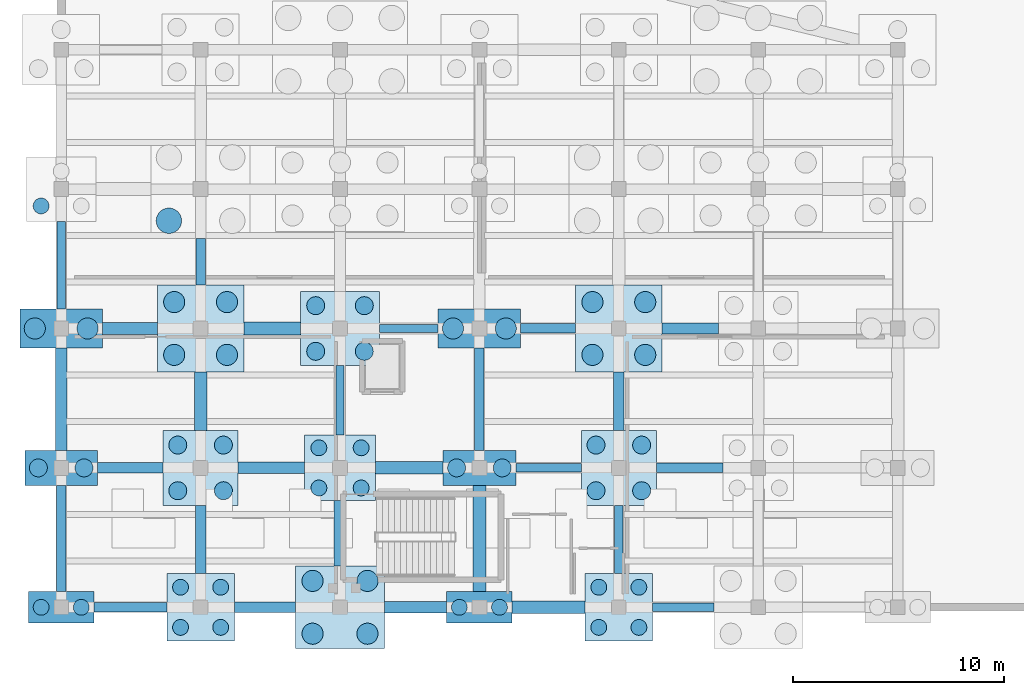
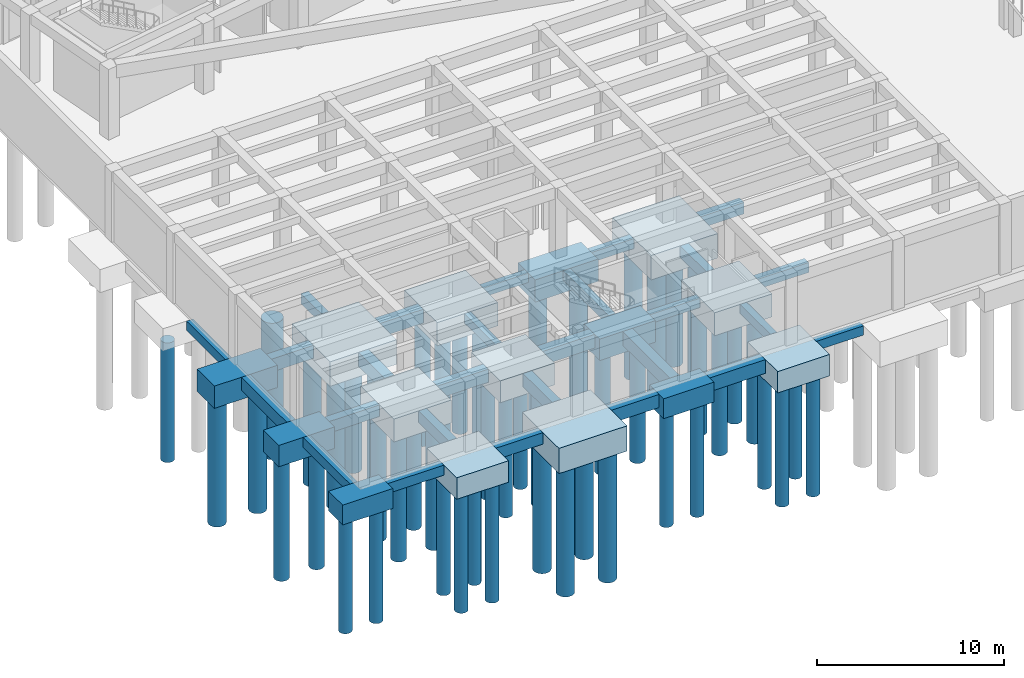
# One storey, part 1 of 34: 50 piles, 42 footings.
"""IFC4 building model written with IfcOpenShell, lengths in metres."""

from ifc_helpers import new_model, si_unit, direction, frame, origin, origin_2d, place, context, subcontext, project, spatial, rectangle, circle, extrude, material, material_profile, profile_set, type_object, element, save


model = new_model("IFC4")

# Units and contexts
model_context = context("Model", 3, precision=1e-05, world=origin(), true_north=direction((0.0, 1.0)))
body_context = subcontext(model_context, "Body", "Model", "MODEL_VIEW")
ifc_project = project(units=[si_unit("LENGTHUNIT", "METRE"), si_unit("AREAUNIT", "SQUARE_METRE"), si_unit("VOLUMEUNIT", "CUBIC_METRE"), si_unit("PLANEANGLEUNIT", "RADIAN"), si_unit("MASSUNIT", "GRAM", prefix="KILO")], contexts=[model_context])

# Site, building, storey
site_placement = place(None, origin())
site = spatial("IfcSite", under=ifc_project, at=site_placement, CompositionType="ELEMENT")
building_placement = place(site_placement, origin())
building = spatial("IfcBuilding", under=site, at=building_placement, Name="Kharisveld Research Institute", CompositionType="ELEMENT")
storey_placement = place(building_placement, frame((0.0, 0.0, -4.800048828125)))
storey = spatial("IfcBuildingStorey", under=building, at=storey_placement, Name="B1", CompositionType="ELEMENT", Elevation=-4.800048828125)

# Footings
ifc_material_1 = material(Name="Concrete C35/45", Category="concrete")
ifc_material_profile_1 = material_profile(ifc_material_1, rectangle(XDim=0.449951171875, YDim=0.64990234375, at=origin_2d()))
ifc_profile_set_1 = profile_set([ifc_material_profile_1], Name="Concrete C35/45")
footing_type_1 = type_object("IfcFootingType", Name="GB_01", PredefinedType="FOOTING_BEAM", material=ifc_profile_set_1)
footing_1_placement = place(storey_placement, frame((2.14990234375, 0.199951171875, -0.77490234375), z_axis=(1.0, 0.0, 0.0), x_axis=(0.0, 1.0, 0.0)))
element("IfcFooting", 1, at=footing_1_placement, inside=storey, type_object=footing_type_1, Name="FTG:GB:V3:U0_0", PredefinedType="FOOTING_BEAM", context=body_context, shape_type="SweptSolid", body=[
    extrude(rectangle(XDim=0.449951171875, YDim=0.64990234375, at=origin_2d()), origin(), (0.0, 0.0, 1.0), 3.4501953125),
])
footing_2_placement = place(storey_placement, frame((28.77490234375, 6.800048828125, -0.77490234375), z_axis=(1.0, 0.0, 0.0), x_axis=(0.0, 1.0, 0.0)))
element("IfcFooting", 2, at=footing_2_placement, inside=storey, type_object=footing_type_1, Name="FTG:GB:V3:U4_1", PredefinedType="FOOTING_BEAM", context=body_context, shape_type="SweptSolid", body=[
    extrude(rectangle(XDim=0.449951171875, YDim=0.64990234375, at=origin_2d()), origin(), (0.0, 0.0, 1.0), 3.150146484375),
])
footing_3_placement = place(storey_placement, frame((22.35009765625, 13.39990234375, -0.77490234375), z_axis=(1.0, 0.0, 0.0), x_axis=(0.0, 1.0, 0.0)))
element("IfcFooting", 3, at=footing_3_placement, inside=storey, type_object=footing_type_1, Name="FTG:GB:V3:U3_2", PredefinedType="FOOTING_BEAM", context=body_context, shape_type="SweptSolid", body=[
    extrude(rectangle(XDim=0.449951171875, YDim=0.64990234375, at=origin_2d()), origin(), (0.0, 0.0, 1.0), 2.599853515625),
])
footing_4_placement = place(storey_placement, frame((0.60009765625, 0.949951171875, -0.77490234375), z_axis=(0.0, 1.0, 0.0), x_axis=(-1.0, 0.0, 0.0)))
element("IfcFooting", 4, at=footing_4_placement, inside=storey, type_object=footing_type_1, Name="FTG:GB:V3:V0_0", PredefinedType="FOOTING_BEAM", context=body_context, shape_type="SweptSolid", body=[
    extrude(rectangle(XDim=0.449951171875, YDim=0.64990234375, at=origin_2d()), origin(), (0.0, 0.0, 1.0), 5.025146484375),
])
footing_5_placement = place(storey_placement, frame((7.199951171875, 15.449951171875, -0.77490234375), z_axis=(0.0, 1.0, 0.0), x_axis=(-1.0, 0.0, 0.0)))
element("IfcFooting", 5, at=footing_5_placement, inside=storey, type_object=footing_type_1, Name="FTG:GB:V3:V1_2", PredefinedType="FOOTING_BEAM", context=body_context, shape_type="SweptSolid", body=[
    extrude(rectangle(XDim=0.449951171875, YDim=0.64990234375, at=origin_2d()), origin(), (0.0, 0.0, 1.0), 2.199951171875),
])
footing_6_placement = place(storey_placement, frame((20.39990234375, 7.625, -0.77490234375), z_axis=(0.0, 1.0, 0.0), x_axis=(-1.0, 0.0, 0.0)))
element("IfcFooting", 6, at=footing_6_placement, inside=storey, type_object=footing_type_1, Name="FTG:GB:V3:V3_1", PredefinedType="FOOTING_BEAM", context=body_context, shape_type="SweptSolid", body=[
    extrude(rectangle(XDim=0.449951171875, YDim=0.64990234375, at=origin_2d()), origin(), (0.0, 0.0, 1.0), 4.85009765625),
])
ifc_material_2 = material(Name="Concrete C35/45", Category="concrete")
ifc_material_profile_2 = material_profile(ifc_material_2, rectangle(XDim=0.5, YDim=0.75, at=origin_2d()))
ifc_profile_set_2 = profile_set([ifc_material_profile_2], Name="Concrete C35/45")
footing_type_2 = type_object("IfcFootingType", Name="GB_02", PredefinedType="FOOTING_BEAM", material=ifc_profile_set_2)
footing_7_placement = place(storey_placement, frame((8.800048828125, 0.199951171875, -0.824951171875), z_axis=(1.0, 0.0, 0.0), x_axis=(0.0, 1.0, 0.0)))
element("IfcFooting", 7, at=footing_7_placement, inside=storey, type_object=footing_type_2, Name="FTG:GB:V3:U1_0", PredefinedType="FOOTING_BEAM", context=body_context, shape_type="SweptSolid", body=[
    extrude(rectangle(XDim=0.5, YDim=0.75, at=origin_2d()), origin(), (0.0, 0.0, 1.0), 2.89990234375),
])
footing_8_placement = place(storey_placement, frame((2.324951171875, 6.800048828125, -0.824951171875), z_axis=(1.0, 0.0, 0.0), x_axis=(0.0, 1.0, 0.0)))
element("IfcFooting", 8, at=footing_8_placement, inside=storey, type_object=footing_type_2, Name="FTG:GB:V3:U0_1", PredefinedType="FOOTING_BEAM", context=body_context, shape_type="SweptSolid", body=[
    extrude(rectangle(XDim=0.5, YDim=0.75, at=origin_2d()), origin(), (0.0, 0.0, 1.0), 3.10009765625),
])
footing_9_placement = place(storey_placement, frame((29.050048828125, 13.39990234375, -0.824951171875), z_axis=(1.0, 0.0, 0.0), x_axis=(0.0, 1.0, 0.0)))
element("IfcFooting", 9, at=footing_9_placement, inside=storey, type_object=footing_type_2, Name="FTG:GB:V3:U4_2", PredefinedType="FOOTING_BEAM", context=body_context, shape_type="SweptSolid", body=[
    extrude(rectangle(XDim=0.5, YDim=0.75, at=origin_2d()), origin(), (0.0, 0.0, 1.0), 2.675048828125),
])
footing_10_placement = place(storey_placement, frame((7.199951171875, 1.800048828125, -0.824951171875), z_axis=(0.0, 1.0, 0.0), x_axis=(-1.0, 0.0, 0.0)))
element("IfcFooting", 10, at=footing_10_placement, inside=storey, type_object=footing_type_2, Name="FTG:GB:V3:V1_0", PredefinedType="FOOTING_BEAM", context=body_context, shape_type="SweptSolid", body=[
    extrude(rectangle(XDim=0.5, YDim=0.75, at=origin_2d()), origin(), (0.0, 0.0, 1.0), 3.224853515625),
])
footing_11_placement = place(storey_placement, frame((27.0, 8.574951171875, -0.824951171875), z_axis=(0.0, 1.0, 0.0), x_axis=(-1.0, 0.0, 0.0)))
element("IfcFooting", 11, at=footing_11_placement, inside=storey, type_object=footing_type_2, Name="FTG:GB:V3:V4_1", PredefinedType="FOOTING_BEAM", context=body_context, shape_type="SweptSolid", body=[
    extrude(rectangle(XDim=0.5, YDim=0.75, at=origin_2d()), origin(), (0.0, 0.0, 1.0), 2.775146484375),
])
ifc_material_3 = material(Name="Concrete C35/45", Category="concrete")
ifc_material_profile_3 = material_profile(ifc_material_3, rectangle(XDim=0.550048828125, YDim=0.85009765625, at=origin_2d()))
ifc_profile_set_3 = profile_set([ifc_material_profile_3], Name="Concrete C35/45")
footing_type_3 = type_object("IfcFootingType", Name="GB_03", PredefinedType="FOOTING_BEAM", material=ifc_profile_set_3)
footing_12_placement = place(storey_placement, frame((15.89990234375, 0.199951171875, -0.875), z_axis=(1.0, 0.0, 0.0), x_axis=(0.0, 1.0, 0.0)))
element("IfcFooting", 12, at=footing_12_placement, inside=storey, type_object=footing_type_3, Name="FTG:GB:V3:U2_0", PredefinedType="FOOTING_BEAM", context=body_context, shape_type="SweptSolid", body=[
    extrude(rectangle(XDim=0.550048828125, YDim=0.85009765625, at=origin_2d()), origin(), (0.0, 0.0, 1.0), 2.9501953125),
])
footing_13_placement = place(storey_placement, frame((8.97509765625, 6.800048828125, -0.875), z_axis=(1.0, 0.0, 0.0), x_axis=(0.0, 1.0, 0.0)))
element("IfcFooting", 13, at=footing_13_placement, inside=storey, type_object=footing_type_3, Name="FTG:GB:V3:U1_1", PredefinedType="FOOTING_BEAM", context=body_context, shape_type="SweptSolid", body=[
    extrude(rectangle(XDim=0.550048828125, YDim=0.85009765625, at=origin_2d()), origin(), (0.0, 0.0, 1.0), 3.14990234375),
])
footing_14_placement = place(storey_placement, frame((2.550048828125, 13.39990234375, -0.875), z_axis=(1.0, 0.0, 0.0), x_axis=(0.0, 1.0, 0.0)))
element("IfcFooting", 14, at=footing_14_placement, inside=storey, type_object=footing_type_3, Name="FTG:GB:V3:U0_2", PredefinedType="FOOTING_BEAM", context=body_context, shape_type="SweptSolid", body=[
    extrude(rectangle(XDim=0.550048828125, YDim=0.85009765625, at=origin_2d()), origin(), (0.0, 0.0, 1.0), 2.599853515625),
])
footing_15_placement = place(storey_placement, frame((0.60009765625, 7.625, -0.875), z_axis=(0.0, 1.0, 0.0), x_axis=(-1.0, 0.0, 0.0)))
element("IfcFooting", 15, at=footing_15_placement, inside=storey, type_object=footing_type_3, Name="FTG:GB:V3:V0_1", PredefinedType="FOOTING_BEAM", context=body_context, shape_type="SweptSolid", body=[
    extrude(rectangle(XDim=0.550048828125, YDim=0.85009765625, at=origin_2d()), origin(), (0.0, 0.0, 1.0), 4.85009765625),
])
footing_16_placement = place(storey_placement, frame((13.800048828125, 2.14990234375, -0.875), z_axis=(0.0, 1.0, 0.0), x_axis=(-1.0, 0.0, 0.0)))
element("IfcFooting", 16, at=footing_16_placement, inside=storey, type_object=footing_type_3, Name="FTG:GB:V3:V2_0", PredefinedType="FOOTING_BEAM", context=body_context, shape_type="SweptSolid", body=[
    extrude(rectangle(XDim=0.550048828125, YDim=0.85009765625, at=origin_2d()), origin(), (0.0, 0.0, 1.0), 3.10009765625),
])
ifc_material_4 = material(Name="Concrete C35/45", Category="concrete")
ifc_material_profile_4 = material_profile(ifc_material_4, rectangle(XDim=0.60009765625, YDim=0.89990234375, at=origin_2d()))
ifc_profile_set_4 = profile_set([ifc_material_profile_4], Name="Concrete C35/45")
footing_type_4 = type_object("IfcFootingType", Name="GB_04", PredefinedType="FOOTING_BEAM", material=ifc_profile_set_4)
footing_17_placement = place(storey_placement, frame((21.949951171875, 0.199951171875, -0.89990234375), z_axis=(1.0, 0.0, 0.0), x_axis=(0.0, 1.0, 0.0)))
element("IfcFooting", 17, at=footing_17_placement, inside=storey, type_object=footing_type_4, Name="FTG:GB:V3:U3_0", PredefinedType="FOOTING_BEAM", context=body_context, shape_type="SweptSolid", body=[
    extrude(rectangle(XDim=0.60009765625, YDim=0.89990234375, at=origin_2d()), origin(), (0.0, 0.0, 1.0), 3.449951171875),
])
footing_18_placement = place(storey_placement, frame((15.47509765625, 6.800048828125, -0.89990234375), z_axis=(1.0, 0.0, 0.0), x_axis=(0.0, 1.0, 0.0)))
element("IfcFooting", 18, at=footing_18_placement, inside=storey, type_object=footing_type_4, Name="FTG:GB:V3:U2_1", PredefinedType="FOOTING_BEAM", context=body_context, shape_type="SweptSolid", body=[
    extrude(rectangle(XDim=0.60009765625, YDim=0.89990234375, at=origin_2d()), origin(), (0.0, 0.0, 1.0), 3.199951171875),
])
footing_19_placement = place(storey_placement, frame((9.25, 13.39990234375, -0.89990234375), z_axis=(1.0, 0.0, 0.0), x_axis=(0.0, 1.0, 0.0)))
element("IfcFooting", 19, at=footing_19_placement, inside=storey, type_object=footing_type_4, Name="FTG:GB:V3:U1_2", PredefinedType="FOOTING_BEAM", context=body_context, shape_type="SweptSolid", body=[
    extrude(rectangle(XDim=0.60009765625, YDim=0.89990234375, at=origin_2d()), origin(), (0.0, 0.0, 1.0), 2.675048828125),
])
footing_20_placement = place(storey_placement, frame((7.199951171875, 8.574951171875, -0.89990234375), z_axis=(0.0, 1.0, 0.0), x_axis=(-1.0, 0.0, 0.0)))
element("IfcFooting", 20, at=footing_20_placement, inside=storey, type_object=footing_type_4, Name="FTG:GB:V3:V1_1", PredefinedType="FOOTING_BEAM", context=body_context, shape_type="SweptSolid", body=[
    extrude(rectangle(XDim=0.60009765625, YDim=0.89990234375, at=origin_2d()), origin(), (0.0, 0.0, 1.0), 2.775146484375),
])
footing_21_placement = place(storey_placement, frame((20.39990234375, 0.949951171875, -0.89990234375), z_axis=(0.0, 1.0, 0.0), x_axis=(-1.0, 0.0, 0.0)))
element("IfcFooting", 21, at=footing_21_placement, inside=storey, type_object=footing_type_4, Name="FTG:GB:V3:V3_0", PredefinedType="FOOTING_BEAM", context=body_context, shape_type="SweptSolid", body=[
    extrude(rectangle(XDim=0.60009765625, YDim=0.89990234375, at=origin_2d()), origin(), (0.0, 0.0, 1.0), 5.025146484375),
])
ifc_material_5 = material(Name="Concrete C35/45", Category="concrete")
ifc_material_profile_5 = material_profile(ifc_material_5, rectangle(XDim=0.39990234375, YDim=0.60009765625, at=origin_2d()))
ifc_profile_set_5 = profile_set([ifc_material_profile_5], Name="Concrete C35/45")
footing_type_5 = type_object("IfcFootingType", Name="GB_05", PredefinedType="FOOTING_BEAM", material=ifc_profile_set_5)
footing_22_placement = place(storey_placement, frame((28.60009765625, 0.199951171875, -0.75), z_axis=(1.0, 0.0, 0.0), x_axis=(0.0, 1.0, 0.0)))
element("IfcFooting", 22, at=footing_22_placement, inside=storey, type_object=footing_type_5, Name="FTG:GB:V3:U4_0", PredefinedType="FOOTING_BEAM", context=body_context, shape_type="SweptSolid", body=[
    extrude(rectangle(XDim=0.39990234375, YDim=0.60009765625, at=origin_2d()), origin(), (0.0, 0.0, 1.0), 2.89990234375),
])
footing_23_placement = place(storey_placement, frame((22.125, 6.800048828125, -0.75), z_axis=(1.0, 0.0, 0.0), x_axis=(0.0, 1.0, 0.0)))
element("IfcFooting", 23, at=footing_23_placement, inside=storey, type_object=footing_type_5, Name="FTG:GB:V3:U3_1", PredefinedType="FOOTING_BEAM", context=body_context, shape_type="SweptSolid", body=[
    extrude(rectangle(XDim=0.39990234375, YDim=0.60009765625, at=origin_2d()), origin(), (0.0, 0.0, 1.0), 3.10009765625),
])
footing_24_placement = place(storey_placement, frame((15.675048828125, 13.39990234375, -0.75), z_axis=(1.0, 0.0, 0.0), x_axis=(0.0, 1.0, 0.0)))
element("IfcFooting", 24, at=footing_24_placement, inside=storey, type_object=footing_type_5, Name="FTG:GB:V3:U2_2", PredefinedType="FOOTING_BEAM", context=body_context, shape_type="SweptSolid", body=[
    extrude(rectangle(XDim=0.39990234375, YDim=0.60009765625, at=origin_2d()), origin(), (0.0, 0.0, 1.0), 2.77490234375),
])
footing_25_placement = place(storey_placement, frame((0.60009765625, 14.324951171875, -0.75), z_axis=(0.0, 1.0, 0.0), x_axis=(-1.0, 0.0, 0.0)))
element("IfcFooting", 25, at=footing_25_placement, inside=storey, type_object=footing_type_5, Name="FTG:GB:V3:V0_2", PredefinedType="FOOTING_BEAM", context=body_context, shape_type="SweptSolid", body=[
    extrude(rectangle(XDim=0.39990234375, YDim=0.60009765625, at=origin_2d()), origin(), (0.0, 0.0, 1.0), 4.150146484375),
])
footing_26_placement = place(storey_placement, frame((13.800048828125, 8.35009765625, -0.75), z_axis=(0.0, 1.0, 0.0), x_axis=(-1.0, 0.0, 0.0)))
element("IfcFooting", 26, at=footing_26_placement, inside=storey, type_object=footing_type_5, Name="FTG:GB:V3:V2_1", PredefinedType="FOOTING_BEAM", context=body_context, shape_type="SweptSolid", body=[
    extrude(rectangle(XDim=0.39990234375, YDim=0.60009765625, at=origin_2d()), origin(), (0.0, 0.0, 1.0), 3.2998046875),
])
footing_27_placement = place(storey_placement, frame((27.0, 1.800048828125, -0.75), z_axis=(0.0, 1.0, 0.0), x_axis=(-1.0, 0.0, 0.0)))
element("IfcFooting", 27, at=footing_27_placement, inside=storey, type_object=footing_type_5, Name="FTG:GB:V3:V4_0", PredefinedType="FOOTING_BEAM", context=body_context, shape_type="SweptSolid", body=[
    extrude(rectangle(XDim=0.39990234375, YDim=0.60009765625, at=origin_2d()), origin(), (0.0, 0.0, 1.0), 3.224853515625),
])
ifc_material_6 = material(Name="Concrete C35/45", Category="concrete")
footing_type_6 = type_object("IfcFootingType", Name="PC_2P_A", PredefinedType="PILE_CAP", material=ifc_material_6)
for number, where, z_axis, x_axis, name in (
    (28, (0.60009765625, 0.199951171875, -1.75), (0.0, 0.0, 1.0), (1.0, 0.0, 0.0), "FTG:V3:U0V0"),
    (29, (20.39990234375, 0.199951171875, -1.75), (0.0, 0.0, 1.0), (1.0, 0.0, 0.0), "FTG:V3:U3V0"),
):
    element("IfcFooting", number, at=place(storey_placement, frame(where, z_axis=z_axis, x_axis=x_axis)), inside=storey, type_object=footing_type_6, Name=name, PredefinedType="PILE_CAP", context=body_context, shape_type="SweptSolid", body=[
        extrude(rectangle(XDim=3.10009765625, YDim=1.5, at=origin_2d()), origin(), (0.0, 0.0, 1.0), 1.300048828125),
    ])
ifc_material_7 = material(Name="Concrete C35/45", Category="concrete")
footing_type_7 = type_object("IfcFootingType", Name="PC_2P_B", PredefinedType="PILE_CAP", material=ifc_material_7)
for number, where, z_axis, x_axis, name in (
    (30, (0.60009765625, 6.800048828125, -1.849853515625), (0.0, 0.0, 1.0), (1.0, 0.0, 0.0), "FTG:V3:U0V1"),
    (31, (20.39990234375, 6.800048828125, -1.849853515625), (0.0, 0.0, 1.0), (1.0, 0.0, 0.0), "FTG:V3:U3V1"),
):
    element("IfcFooting", number, at=place(storey_placement, frame(where, z_axis=z_axis, x_axis=x_axis)), inside=storey, type_object=footing_type_7, Name=name, PredefinedType="PILE_CAP", context=body_context, shape_type="SweptSolid", body=[
        extrude(rectangle(XDim=3.449951171875, YDim=1.64990234375, at=origin_2d()), origin(), (0.0, 0.0, 1.0), 1.39990234375),
    ])
ifc_material_8 = material(Name="Concrete C35/45", Category="concrete")
footing_type_8 = type_object("IfcFootingType", Name="PC_2P_C", PredefinedType="PILE_CAP", material=ifc_material_8)
for number, where, z_axis, x_axis, name in (
    (32, (0.60009765625, 13.39990234375, -1.89990234375), (0.0, 0.0, 1.0), (1.0, 0.0, 0.0), "FTG:V3:U0V2"),
    (33, (20.39990234375, 13.39990234375, -1.89990234375), (0.0, 0.0, 1.0), (1.0, 0.0, 0.0), "FTG:V3:U3V2"),
):
    element("IfcFooting", number, at=place(storey_placement, frame(where, z_axis=z_axis, x_axis=x_axis)), inside=storey, type_object=footing_type_8, Name=name, PredefinedType="PILE_CAP", context=body_context, shape_type="SweptSolid", body=[
        extrude(rectangle(XDim=3.89990234375, YDim=1.85009765625, at=origin_2d()), origin(), (0.0, 0.0, 1.0), 1.449951171875),
    ])
ifc_material_9 = material(Name="Concrete C35/45", Category="concrete")
footing_type_9 = type_object("IfcFootingType", Name="PC_4P_A", PredefinedType="PILE_CAP", material=ifc_material_9)
for number, where, z_axis, x_axis, name in (
    (34, (7.199951171875, 0.199951171875, -1.849853515625), (0.0, 0.0, 1.0), (1.0, 0.0, 0.0), "FTG:V3:U1V0"),
    (35, (27.0, 0.199951171875, -1.849853515625), (0.0, 0.0, 1.0), (1.0, 0.0, 0.0), "FTG:V3:U4V0"),
):
    element("IfcFooting", number, at=place(storey_placement, frame(where, z_axis=z_axis, x_axis=x_axis)), inside=storey, type_object=footing_type_9, Name=name, PredefinedType="PILE_CAP", context=body_context, shape_type="SweptSolid", body=[
        extrude(rectangle(XDim=3.199951171875, YDim=3.199951171875, at=origin_2d()), origin(), (0.0, 0.0, 1.0), 1.39990234375),
    ])
ifc_material_10 = material(Name="Concrete C35/45", Category="concrete")
footing_type_10 = type_object("IfcFootingType", Name="PC_4P_B", PredefinedType="PILE_CAP", material=ifc_material_10)
for number, where, z_axis, x_axis, name in (
    (36, (7.199951171875, 6.800048828125, -1.949951171875), (0.0, 0.0, 1.0), (1.0, 0.0, 0.0), "FTG:V3:U1V1"),
    (37, (27.0, 6.800048828125, -1.949951171875), (0.0, 0.0, 1.0), (1.0, 0.0, 0.0), "FTG:V3:U4V1"),
):
    element("IfcFooting", number, at=place(storey_placement, frame(where, z_axis=z_axis, x_axis=x_axis)), inside=storey, type_object=footing_type_10, Name=name, PredefinedType="PILE_CAP", context=body_context, shape_type="SweptSolid", body=[
        extrude(rectangle(XDim=3.550048828125, YDim=3.550048828125, at=origin_2d()), origin(), (0.0, 0.0, 1.0), 1.5),
    ])
ifc_material_11 = material(Name="Concrete C35/45", Category="concrete")
footing_type_11 = type_object("IfcFootingType", Name="PC_4P_C", PredefinedType="PILE_CAP", material=ifc_material_11)
for number, where, z_axis, x_axis, name in (
    (38, (7.199951171875, 13.39990234375, -2.050048828125), (0.0, 0.0, 1.0), (1.0, 0.0, 0.0), "FTG:V3:U1V2"),
    (39, (27.0, 13.39990234375, -2.050048828125), (0.0, 0.0, 1.0), (1.0, 0.0, 0.0), "FTG:V3:U4V2"),
):
    element("IfcFooting", number, at=place(storey_placement, frame(where, z_axis=z_axis, x_axis=x_axis)), inside=storey, type_object=footing_type_11, Name=name, PredefinedType="PILE_CAP", context=body_context, shape_type="SweptSolid", body=[
        extrude(rectangle(XDim=4.10009765625, YDim=4.10009765625, at=origin_2d()), origin(), (0.0, 0.0, 1.0), 1.60009765625),
    ])
ifc_material_12 = material(Name="Concrete C35/45", Category="concrete")
footing_type_12 = type_object("IfcFootingType", Name="PC_4P_F", PredefinedType="PILE_CAP", material=ifc_material_12)
footing_28_placement = place(storey_placement, frame((13.800048828125, 0.199951171875, -2.099853515625), z_axis=(0.0, 0.0, 1.0), x_axis=(1.0, 0.0, 0.0)))
element("IfcFooting", 40, at=footing_28_placement, inside=storey, type_object=footing_type_12, Name="FTG:V3:U2V0", PredefinedType="PILE_CAP", context=body_context, shape_type="SweptSolid", body=[
    extrude(rectangle(XDim=4.199951171875, YDim=3.89990234375, at=origin_2d()), origin(), (0.0, 0.0, 1.0), 1.64990234375),
])
ifc_material_13 = material(Name="Concrete C35/45", Category="concrete")
footing_type_13 = type_object("IfcFootingType", Name="PC_4P_G", PredefinedType="PILE_CAP", material=ifc_material_13)
footing_29_placement = place(storey_placement, frame((13.800048828125, 6.800048828125, -1.869873046875), z_axis=(0.0, 0.0, 1.0), x_axis=(1.0, 0.0, 0.0)))
element("IfcFooting", 41, at=footing_29_placement, inside=storey, type_object=footing_type_13, Name="FTG:V3:U2V1", PredefinedType="PILE_CAP", context=body_context, shape_type="SweptSolid", body=[
    extrude(rectangle(XDim=3.35009765625, YDim=3.10009765625, at=origin_2d()), origin(), (0.0, 0.0, 1.0), 1.419921875),
])
ifc_material_14 = material(Name="Concrete C35/45", Category="concrete")
footing_type_14 = type_object("IfcFootingType", Name="PC_4P_H", PredefinedType="PILE_CAP", material=ifc_material_14)
footing_30_placement = place(storey_placement, frame((13.800048828125, 13.39990234375, -1.969970703125), z_axis=(0.0, 0.0, 1.0), x_axis=(1.0, 0.0, 0.0)))
element("IfcFooting", 42, at=footing_30_placement, inside=storey, type_object=footing_type_14, Name="FTG:V3:U2V2", PredefinedType="PILE_CAP", context=body_context, shape_type="SweptSolid", body=[
    extrude(rectangle(XDim=3.75, YDim=3.5, at=origin_2d()), origin(), (0.0, 0.0, 1.0), 1.52001953125),
])

# Piles
ifc_material_15 = material(Name="Concrete C40/50", Category="concrete")
ifc_material_profile_6 = material_profile(ifc_material_15, circle(Radius=0.5, at=origin_2d()))
ifc_profile_set_6 = profile_set([ifc_material_profile_6], Name="Concrete C40/50")
pile_type_1 = type_object("IfcPileType", Name="PILE_D1000", PredefinedType="BORED", material=ifc_profile_set_6)
for number, where, z_axis, x_axis, name in (
    (43, (-0.64990234375, 13.39990234375, -1.800048828125), (0.0, 0.0, -1.0), (1.0, 0.0, 0.0), "PILE:V3:U0V2:P1"),
    (44, (1.85009765625, 13.39990234375, -1.800048828125), (0.0, 0.0, -1.0), (1.0, 0.0, 0.0), "PILE:V3:U0V2:P2"),
):
    element("IfcPile", number, at=place(storey_placement, frame(where, z_axis=z_axis, x_axis=x_axis)), inside=storey, type_object=pile_type_1, Name=name, PredefinedType="BORED", context=body_context, shape_type="SweptSolid", body=[
        extrude(circle(Radius=0.5, at=origin_2d()), origin(), (0.0, 0.0, 1.0), 8.300048828125),
    ])
for number, where, z_axis, x_axis, name in (
    (45, (5.949951171875, 12.14990234375, -1.949951171875), (0.0, 0.0, -1.0), (1.0, 0.0, 0.0), "PILE:V3:U1V2:P1"),
    (46, (8.449951171875, 12.14990234375, -1.949951171875), (0.0, 0.0, -1.0), (1.0, 0.0, 0.0), "PILE:V3:U1V2:P2"),
    (47, (8.449951171875, 14.64990234375, -1.949951171875), (0.0, 0.0, -1.0), (1.0, 0.0, 0.0), "PILE:V3:U1V2:P3"),
    (48, (5.949951171875, 14.64990234375, -1.949951171875), (0.0, 0.0, -1.0), (1.0, 0.0, 0.0), "PILE:V3:U1V2:P4"),
):
    element("IfcPile", number, at=place(storey_placement, frame(where, z_axis=z_axis, x_axis=x_axis)), inside=storey, type_object=pile_type_1, Name=name, PredefinedType="BORED", context=body_context, shape_type="SweptSolid", body=[
        extrude(circle(Radius=0.5, at=origin_2d()), origin(), (0.0, 0.0, 1.0), 8.60009765625),
    ])
for number, where, z_axis, x_axis, name in (
    (49, (12.5, -1.050048828125, -2.0), (0.0, 0.0, -1.0), (1.0, 0.0, 0.0), "PILE:V3:U2V0:P1"),
    (50, (15.10009765625, -1.050048828125, -2.0), (0.0, 0.0, -1.0), (1.0, 0.0, 0.0), "PILE:V3:U2V0:P2"),
    (51, (15.10009765625, 1.449951171875, -2.0), (0.0, 0.0, -1.0), (1.0, 0.0, 0.0), "PILE:V3:U2V0:P3"),
    (52, (12.5, 1.449951171875, -2.0), (0.0, 0.0, -1.0), (1.0, 0.0, 0.0), "PILE:V3:U2V0:P4"),
):
    element("IfcPile", number, at=place(storey_placement, frame(where, z_axis=z_axis, x_axis=x_axis)), inside=storey, type_object=pile_type_1, Name=name, PredefinedType="BORED", context=body_context, shape_type="SweptSolid", body=[
        extrude(circle(Radius=0.5, at=origin_2d()), origin(), (0.0, 0.0, 1.0), 8.5),
    ])
for number, where, z_axis, x_axis, name in (
    (53, (19.14990234375, 13.39990234375, -1.800048828125), (0.0, 0.0, -1.0), (1.0, 0.0, 0.0), "PILE:V3:U3V2:P1"),
    (54, (21.64990234375, 13.39990234375, -1.800048828125), (0.0, 0.0, -1.0), (1.0, 0.0, 0.0), "PILE:V3:U3V2:P2"),
):
    element("IfcPile", number, at=place(storey_placement, frame(where, z_axis=z_axis, x_axis=x_axis)), inside=storey, type_object=pile_type_1, Name=name, PredefinedType="BORED", context=body_context, shape_type="SweptSolid", body=[
        extrude(circle(Radius=0.5, at=origin_2d()), origin(), (0.0, 0.0, 1.0), 8.300048828125),
    ])
for number, where, z_axis, x_axis, name in (
    (55, (25.75, 12.14990234375, -1.949951171875), (0.0, 0.0, -1.0), (1.0, 0.0, 0.0), "PILE:V3:U4V2:P1"),
    (56, (28.25, 12.14990234375, -1.949951171875), (0.0, 0.0, -1.0), (1.0, 0.0, 0.0), "PILE:V3:U4V2:P2"),
    (57, (28.25, 14.64990234375, -1.949951171875), (0.0, 0.0, -1.0), (1.0, 0.0, 0.0), "PILE:V3:U4V2:P3"),
    (58, (25.75, 14.64990234375, -1.949951171875), (0.0, 0.0, -1.0), (1.0, 0.0, 0.0), "PILE:V3:U4V2:P4"),
):
    element("IfcPile", number, at=place(storey_placement, frame(where, z_axis=z_axis, x_axis=x_axis)), inside=storey, type_object=pile_type_1, Name=name, PredefinedType="BORED", context=body_context, shape_type="SweptSolid", body=[
        extrude(circle(Radius=0.5, at=origin_2d()), origin(), (0.0, 0.0, 1.0), 8.60009765625),
    ])
ifc_material_16 = material(Name="Concrete C40/50", Category="concrete")
ifc_material_profile_7 = material_profile(ifc_material_16, circle(Radius=0.60009765625, at=origin_2d()))
ifc_profile_set_7 = profile_set([ifc_material_profile_7], Name="Concrete C40/50")
pile_type_2 = type_object("IfcPileType", Name="PILE_D1200", PredefinedType="BORED", material=ifc_profile_set_7)
pile_1_placement = place(storey_placement, frame((5.699951171875, 18.5, -2.050048828125), z_axis=(0.0, 0.0, -1.0), x_axis=(1.0, 0.0, 0.0)))
element("IfcPile", 59, at=pile_1_placement, inside=storey, type_object=pile_type_2, Name="PILE:V3:U1V3:P1", PredefinedType="BORED", context=body_context, shape_type="SweptSolid", body=[
    extrude(circle(Radius=0.60009765625, at=origin_2d()), origin(), (0.0, 0.0, 1.0), 8.89990234375),
])
ifc_material_17 = material(Name="Concrete C40/50", Category="concrete")
ifc_material_profile_8 = material_profile(ifc_material_17, circle(Radius=0.375, at=origin_2d()))
ifc_profile_set_8 = profile_set([ifc_material_profile_8], Name="Concrete C40/50")
pile_type_3 = type_object("IfcPileType", Name="PILE_D750", PredefinedType="BORED", material=ifc_profile_set_8)
for number, where, z_axis, x_axis, name in (
    (60, (-0.35009765625, 0.199951171875, -1.64990234375), (0.0, 0.0, -1.0), (1.0, 0.0, 0.0), "PILE:V3:U0V0:P1"),
    (61, (1.550048828125, 0.199951171875, -1.64990234375), (0.0, 0.0, -1.0), (1.0, 0.0, 0.0), "PILE:V3:U0V0:P2"),
):
    element("IfcPile", number, at=place(storey_placement, frame(where, z_axis=z_axis, x_axis=x_axis)), inside=storey, type_object=pile_type_3, Name=name, PredefinedType="BORED", context=body_context, shape_type="SweptSolid", body=[
        extrude(circle(Radius=0.375, at=origin_2d()), origin(), (0.0, 0.0, 1.0), 7.60009765625),
    ])
pile_2_placement = place(storey_placement, frame((-0.35009765625, 19.199951171875, -1.800048828125), z_axis=(0.0, 0.0, -1.0), x_axis=(1.0, 0.0, 0.0)))
element("IfcPile", 62, at=pile_2_placement, inside=storey, type_object=pile_type_3, Name="PILE:V3:U0V3:P1", PredefinedType="BORED", context=body_context, shape_type="SweptSolid", body=[
    extrude(circle(Radius=0.375, at=origin_2d()), origin(), (0.0, 0.0, 1.0), 7.800048828125),
])
for number, where, z_axis, x_axis, name in (
    (63, (6.25, -0.75, -1.75), (0.0, 0.0, -1.0), (1.0, 0.0, 0.0), "PILE:V3:U1V0:P1"),
    (64, (8.14990234375, -0.75, -1.75), (0.0, 0.0, -1.0), (1.0, 0.0, 0.0), "PILE:V3:U1V0:P2"),
    (65, (8.14990234375, 1.14990234375, -1.75), (0.0, 0.0, -1.0), (1.0, 0.0, 0.0), "PILE:V3:U1V0:P3"),
    (66, (6.25, 1.14990234375, -1.75), (0.0, 0.0, -1.0), (1.0, 0.0, 0.0), "PILE:V3:U1V0:P4"),
):
    element("IfcPile", number, at=place(storey_placement, frame(where, z_axis=z_axis, x_axis=x_axis)), inside=storey, type_object=pile_type_3, Name=name, PredefinedType="BORED", context=body_context, shape_type="SweptSolid", body=[
        extrude(circle(Radius=0.375, at=origin_2d()), origin(), (0.0, 0.0, 1.0), 7.89990234375),
    ])
for number, where, z_axis, x_axis, name in (
    (67, (12.800048828125, 5.85009765625, -1.77001953125), (0.0, 0.0, -1.0), (1.0, 0.0, 0.0), "PILE:V3:U2V1:P1"),
    (68, (14.800048828125, 5.85009765625, -1.77001953125), (0.0, 0.0, -1.0), (1.0, 0.0, 0.0), "PILE:V3:U2V1:P2"),
    (69, (14.800048828125, 7.75, -1.77001953125), (0.0, 0.0, -1.0), (1.0, 0.0, 0.0), "PILE:V3:U2V1:P3"),
    (70, (12.800048828125, 7.75, -1.77001953125), (0.0, 0.0, -1.0), (1.0, 0.0, 0.0), "PILE:V3:U2V1:P4"),
):
    element("IfcPile", number, at=place(storey_placement, frame(where, z_axis=z_axis, x_axis=x_axis)), inside=storey, type_object=pile_type_3, Name=name, PredefinedType="BORED", context=body_context, shape_type="SweptSolid", body=[
        extrude(circle(Radius=0.375, at=origin_2d()), origin(), (0.0, 0.0, 1.0), 7.949951171875),
    ])
for number, where, z_axis, x_axis, name in (
    (71, (19.449951171875, 0.199951171875, -1.64990234375), (0.0, 0.0, -1.0), (1.0, 0.0, 0.0), "PILE:V3:U3V0:P1"),
    (72, (21.35009765625, 0.199951171875, -1.64990234375), (0.0, 0.0, -1.0), (1.0, 0.0, 0.0), "PILE:V3:U3V0:P2"),
):
    element("IfcPile", number, at=place(storey_placement, frame(where, z_axis=z_axis, x_axis=x_axis)), inside=storey, type_object=pile_type_3, Name=name, PredefinedType="BORED", context=body_context, shape_type="SweptSolid", body=[
        extrude(circle(Radius=0.375, at=origin_2d()), origin(), (0.0, 0.0, 1.0), 7.60009765625),
    ])
for number, where, z_axis, x_axis, name in (
    (73, (26.050048828125, -0.75, -1.75), (0.0, 0.0, -1.0), (1.0, 0.0, 0.0), "PILE:V3:U4V0:P1"),
    (74, (27.949951171875, -0.75, -1.75), (0.0, 0.0, -1.0), (1.0, 0.0, 0.0), "PILE:V3:U4V0:P2"),
    (75, (27.949951171875, 1.14990234375, -1.75), (0.0, 0.0, -1.0), (1.0, 0.0, 0.0), "PILE:V3:U4V0:P3"),
    (76, (26.050048828125, 1.14990234375, -1.75), (0.0, 0.0, -1.0), (1.0, 0.0, 0.0), "PILE:V3:U4V0:P4"),
):
    element("IfcPile", number, at=place(storey_placement, frame(where, z_axis=z_axis, x_axis=x_axis)), inside=storey, type_object=pile_type_3, Name=name, PredefinedType="BORED", context=body_context, shape_type="SweptSolid", body=[
        extrude(circle(Radius=0.375, at=origin_2d()), origin(), (0.0, 0.0, 1.0), 7.89990234375),
    ])
ifc_material_18 = material(Name="Concrete C40/50", Category="concrete")
ifc_material_profile_9 = material_profile(ifc_material_18, circle(Radius=0.425048828125, at=origin_2d()))
ifc_profile_set_9 = profile_set([ifc_material_profile_9], Name="Concrete C40/50")
pile_type_4 = type_object("IfcPileType", Name="PILE_D850", PredefinedType="BORED", material=ifc_profile_set_9)
for number, where, z_axis, x_axis, name in (
    (77, (-0.47998046875, 6.800048828125, -1.75), (0.0, 0.0, -1.0), (1.0, 0.0, 0.0), "PILE:V3:U0V1:P1"),
    (78, (1.679931640625, 6.800048828125, -1.75), (0.0, 0.0, -1.0), (1.0, 0.0, 0.0), "PILE:V3:U0V1:P2"),
):
    element("IfcPile", number, at=place(storey_placement, frame(where, z_axis=z_axis, x_axis=x_axis)), inside=storey, type_object=pile_type_4, Name=name, PredefinedType="BORED", context=body_context, shape_type="SweptSolid", body=[
        extrude(circle(Radius=0.425048828125, at=origin_2d()), origin(), (0.0, 0.0, 1.0), 8.0),
    ])
for number, where, z_axis, x_axis, name in (
    (79, (6.1201171875, 5.719970703125, -1.849853515625), (0.0, 0.0, -1.0), (1.0, 0.0, 0.0), "PILE:V3:U1V1:P1"),
    (80, (8.280029296875, 5.719970703125, -1.849853515625), (0.0, 0.0, -1.0), (1.0, 0.0, 0.0), "PILE:V3:U1V1:P2"),
    (81, (8.280029296875, 7.8798828125, -1.849853515625), (0.0, 0.0, -1.0), (1.0, 0.0, 0.0), "PILE:V3:U1V1:P3"),
    (82, (6.1201171875, 7.8798828125, -1.849853515625), (0.0, 0.0, -1.0), (1.0, 0.0, 0.0), "PILE:V3:U1V1:P4"),
):
    element("IfcPile", number, at=place(storey_placement, frame(where, z_axis=z_axis, x_axis=x_axis)), inside=storey, type_object=pile_type_4, Name=name, PredefinedType="BORED", context=body_context, shape_type="SweptSolid", body=[
        extrude(circle(Radius=0.425048828125, at=origin_2d()), origin(), (0.0, 0.0, 1.0), 8.300048828125),
    ])
for number, where, z_axis, x_axis, name in (
    (83, (12.64990234375, 12.320068359375, -1.869873046875), (0.0, 0.0, -1.0), (1.0, 0.0, 0.0), "PILE:V3:U2V2:P1"),
    (84, (14.949951171875, 12.320068359375, -1.869873046875), (0.0, 0.0, -1.0), (1.0, 0.0, 0.0), "PILE:V3:U2V2:P2"),
    (85, (14.949951171875, 14.47998046875, -1.869873046875), (0.0, 0.0, -1.0), (1.0, 0.0, 0.0), "PILE:V3:U2V2:P3"),
    (86, (12.64990234375, 14.47998046875, -1.869873046875), (0.0, 0.0, -1.0), (1.0, 0.0, 0.0), "PILE:V3:U2V2:P4"),
):
    element("IfcPile", number, at=place(storey_placement, frame(where, z_axis=z_axis, x_axis=x_axis)), inside=storey, type_object=pile_type_4, Name=name, PredefinedType="BORED", context=body_context, shape_type="SweptSolid", body=[
        extrude(circle(Radius=0.425048828125, at=origin_2d()), origin(), (0.0, 0.0, 1.0), 8.35009765625),
    ])
for number, where, z_axis, x_axis, name in (
    (87, (19.320068359375, 6.800048828125, -1.75), (0.0, 0.0, -1.0), (1.0, 0.0, 0.0), "PILE:V3:U3V1:P1"),
    (88, (21.47998046875, 6.800048828125, -1.75), (0.0, 0.0, -1.0), (1.0, 0.0, 0.0), "PILE:V3:U3V1:P2"),
):
    element("IfcPile", number, at=place(storey_placement, frame(where, z_axis=z_axis, x_axis=x_axis)), inside=storey, type_object=pile_type_4, Name=name, PredefinedType="BORED", context=body_context, shape_type="SweptSolid", body=[
        extrude(circle(Radius=0.425048828125, at=origin_2d()), origin(), (0.0, 0.0, 1.0), 8.0),
    ])
for number, where, z_axis, x_axis, name in (
    (89, (25.919921875, 5.719970703125, -1.849853515625), (0.0, 0.0, -1.0), (1.0, 0.0, 0.0), "PILE:V3:U4V1:P1"),
    (90, (28.080078125, 5.719970703125, -1.849853515625), (0.0, 0.0, -1.0), (1.0, 0.0, 0.0), "PILE:V3:U4V1:P2"),
    (91, (28.080078125, 7.8798828125, -1.849853515625), (0.0, 0.0, -1.0), (1.0, 0.0, 0.0), "PILE:V3:U4V1:P3"),
    (92, (25.919921875, 7.8798828125, -1.849853515625), (0.0, 0.0, -1.0), (1.0, 0.0, 0.0), "PILE:V3:U4V1:P4"),
):
    element("IfcPile", number, at=place(storey_placement, frame(where, z_axis=z_axis, x_axis=x_axis)), inside=storey, type_object=pile_type_4, Name=name, PredefinedType="BORED", context=body_context, shape_type="SweptSolid", body=[
        extrude(circle(Radius=0.425048828125, at=origin_2d()), origin(), (0.0, 0.0, 1.0), 8.300048828125),
    ])

save(model, "model.ifc")
